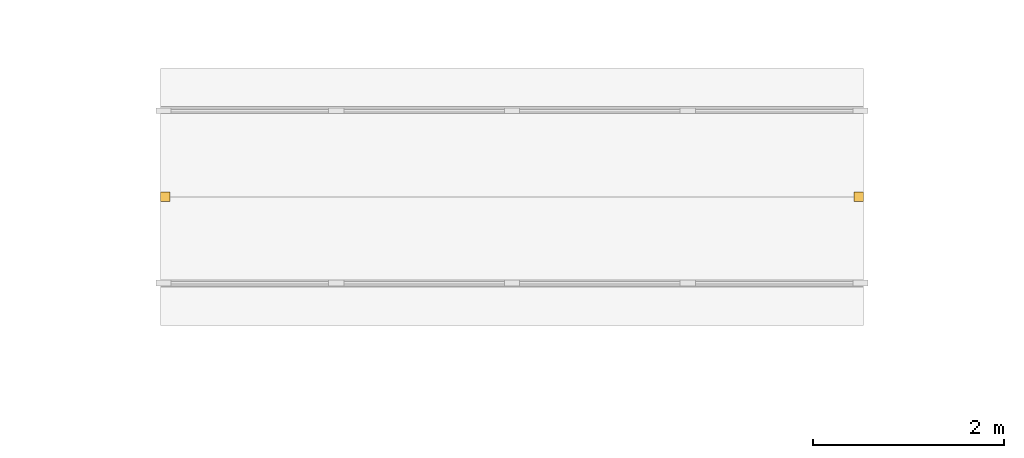
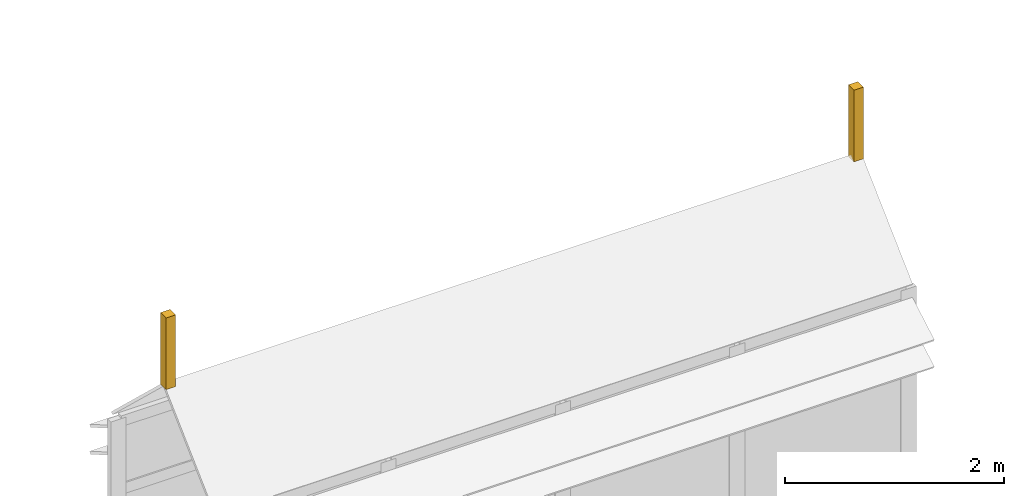
# One storey, part 28 of 28: 2 coverings.
"""IFC4 building model written with IfcOpenShell, lengths in metres."""

from ifc_helpers import new_model, si_unit, direction, frame, origin, origin_2d, place, context, subcontext, project, spatial, rectangle, extrude, material, layer, layer_set, type_object, element, save


model = new_model("IFC4")

# Units and contexts
model_context = context("Model", 3, precision=1e-05, world=origin(), true_north=direction((0.0, 1.0)))
body_context = subcontext(model_context, "Body", "Model", "MODEL_VIEW")
ifc_project = project(units=[si_unit("LENGTHUNIT", "METRE"), si_unit("AREAUNIT", "SQUARE_METRE"), si_unit("VOLUMEUNIT", "CUBIC_METRE"), si_unit("PLANEANGLEUNIT", "RADIAN"), si_unit("MASSUNIT", "GRAM", prefix="KILO")], contexts=[model_context])

# Site, building, storey
site_placement = place(None, origin())
site = spatial("IfcSite", under=ifc_project, at=site_placement, CompositionType="ELEMENT")
building_placement = place(site_placement, origin())
building = spatial("IfcBuilding", under=site, at=building_placement, Name="Mazhai Court Health Centre", CompositionType="ELEMENT")
storey_placement = place(building_placement, frame((0.0, 0.0, 18.0)))
storey = spatial("IfcBuildingStorey", under=building, at=storey_placement, Name="RF", CompositionType="ELEMENT", Elevation=18.0)

# Coverings
ifc_material = material(Name="Zinc sheet")
ifc_layer = layer(ifc_material, 0.10009765625)
ifc_layer_set = layer_set([ifc_layer], Name="ZINC FINIAL 100")
covering_type = type_object("IfcCoveringType", Name="ZINC FINIAL 100", PredefinedType="MOLDING", material=ifc_layer_set)
for number, where, z_axis, x_axis, name in (
    (1, (99.77392578125, 56.60009765625, -4.34619140625), (0.0, 0.0, 1.0), (1.0, 0.0, 0.0), "Lantern finial V3S"),
    (2, (107.02587890625, 56.60009765625, -4.34619140625), (0.0, 0.0, 1.0), (1.0, 0.0, 0.0), "Lantern finial V3N"),
):
    element("IfcCovering", number, at=place(storey_placement, frame(where, z_axis=z_axis, x_axis=x_axis)), inside=storey, type_object=covering_type, Name=name, PredefinedType="MOLDING", context=body_context, shape_type="SweptSolid", body=[
        extrude(rectangle(XDim=0.10009765625, YDim=0.10009765625, at=origin_2d()), origin(), (0.0, 0.0, 1.0), 0.800048828125),
    ])

save(model, "model.ifc")
